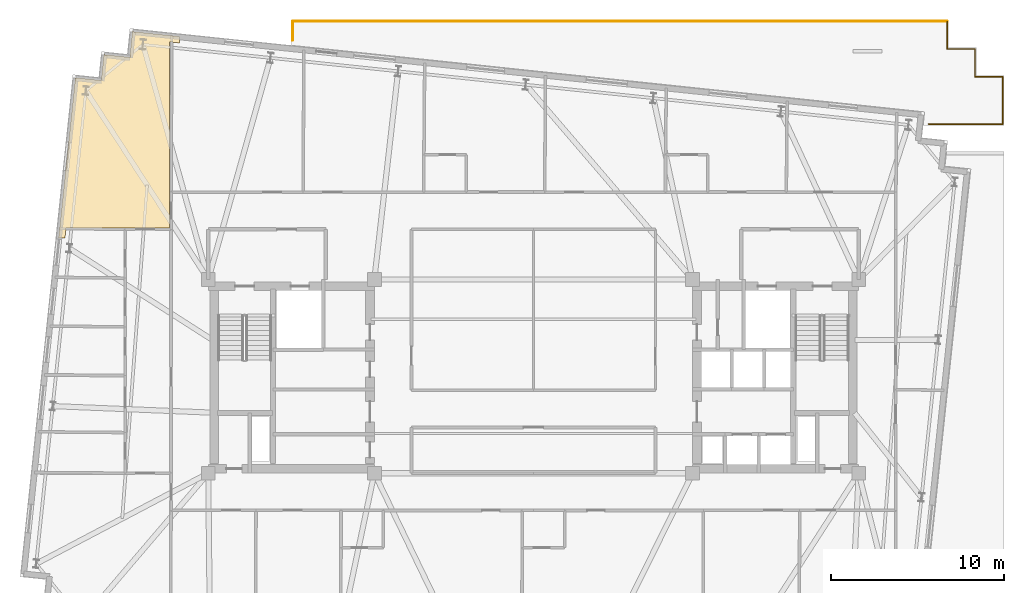
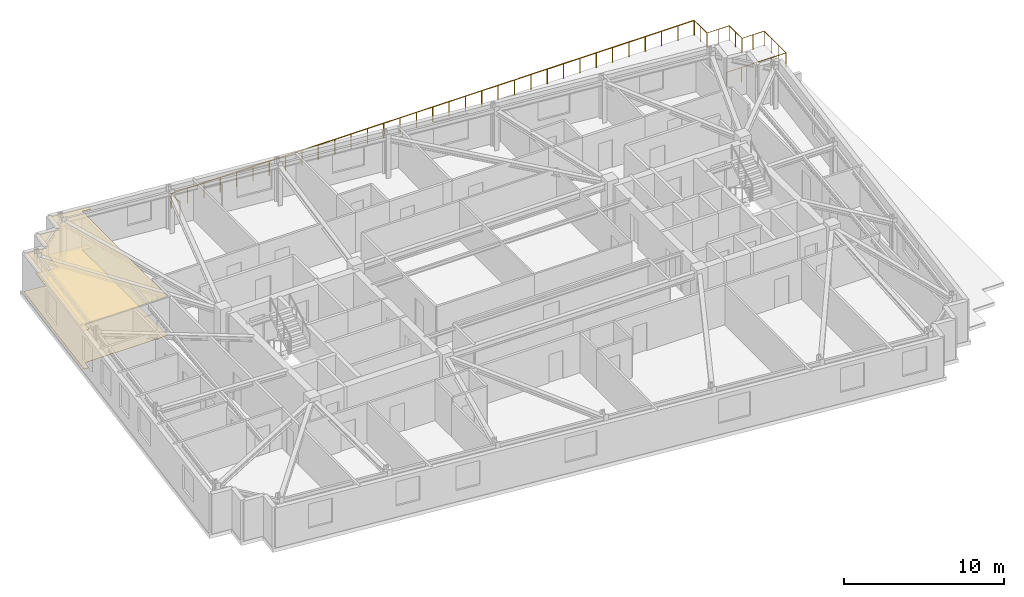
# One storey, part 13 of 13: 2 coverings, 2 railings.
"""IFC4 building model written with IfcOpenShell, lengths in metres."""

from ifc_helpers import new_model, si_unit, direction, frame, origin, origin_2d, place, context, subcontext, project, spatial, polyline, circle, outline, extrude, material, layer, layer_set, type_object, element, save


model = new_model("IFC4")

# Units and contexts
model_context = context("Model", 3, precision=1e-05, world=origin(), true_north=direction((0.0, 1.0)))
body_context = subcontext(model_context, "Body", "Model", "MODEL_VIEW")
ifc_project = project(units=[si_unit("LENGTHUNIT", "METRE"), si_unit("AREAUNIT", "SQUARE_METRE"), si_unit("VOLUMEUNIT", "CUBIC_METRE"), si_unit("PLANEANGLEUNIT", "RADIAN"), si_unit("MASSUNIT", "GRAM", prefix="KILO")], contexts=[model_context])

# Site, building, storey
site_placement = place(None, origin())
site = spatial("IfcSite", under=ifc_project, at=site_placement, CompositionType="ELEMENT")
building_placement = place(site_placement, origin())
building = spatial("IfcBuilding", under=site, at=building_placement, Name="Qobustan Lattice House", CompositionType="ELEMENT")
storey_placement = place(building_placement, frame((0.0, 0.0, 179.64990234375)))
storey = spatial("IfcBuildingStorey", under=building, at=storey_placement, Name="L50", CompositionType="ELEMENT", Elevation=179.64990234375)

# Coverings
ifc_material_1 = material(Name="Perforated gypsum acoustic ceiling", Category="gypsum")
ifc_layer_1 = layer(ifc_material_1, 0.030029296875)
ifc_layer_set_1 = layer_set([ifc_layer_1], Name="Perforated gypsum acoustic ceiling")
covering_type_1 = type_object("IfcCoveringType", Name="COV-ACOUSTIC-CEIL", PredefinedType="CEILING", material=ifc_layer_set_1)
covering_1_placement = place(storey_placement, frame((0.0, 0.0, 2.9501953125)))
element("IfcCovering", 1, at=covering_1_placement, inside=storey, type_object=covering_type_1, Name="L50 Reading study room L50WN acoustic ceiling", PredefinedType="CEILING", context=body_context, shape_type="SweptSolid", body=[
    extrude(outline(polyline([(-26.4794921875, 17.261474609375), (-27.452880859375, 8.0), (-27.0810546875, 8.0), (-27.02001953125, 8.580078125), (-21.030029296875, 8.580078125), (-21.030029296875, 19.3330078125), (-20.449951171875, 19.272216796875), (-20.449951171875, 19.644287109375), (-23.1826171875, 19.931396484375), (-23.339111328125, 18.439697265625), (-24.8310546875, 18.596435546875), (-24.98779296875, 17.1044921875), (-26.4794921875, 17.261474609375)])), origin(), (0.0, 0.0, 1.0), 0.02978515625),
])
ifc_material_2 = material(Name="Honed Absheron stone terrazzo flooring", Category="masonry")
ifc_layer_2 = layer(ifc_material_2, 0.02490234375)
ifc_layer_set_2 = layer_set([ifc_layer_2], Name="Honed Absheron stone terrazzo flooring")
covering_type_2 = type_object("IfcCoveringType", Name="COV-TERRAZZO-FLR", PredefinedType="FLOORING", material=ifc_layer_set_2)
covering_2_placement = place(storey_placement, origin())
element("IfcCovering", 2, at=covering_2_placement, inside=storey, type_object=covering_type_2, Name="L50 Reading study room L50WN stone terrazzo flooring", PredefinedType="FLOORING", context=body_context, shape_type="SweptSolid", body=[
    extrude(outline(polyline([(-26.4794921875, 17.261474609375), (-27.452880859375, 8.0), (-27.0810546875, 8.0), (-27.02001953125, 8.580078125), (-21.030029296875, 8.580078125), (-21.030029296875, 19.3330078125), (-20.449951171875, 19.272216796875), (-20.449951171875, 19.644287109375), (-23.1826171875, 19.931396484375), (-23.339111328125, 18.439697265625), (-24.8310546875, 18.596435546875), (-24.98779296875, 17.1044921875), (-26.4794921875, 17.261474609375)])), origin(), (0.0, 0.0, 1.0), 0.025146484375),
])

# Railings
ifc_material_3 = material(Name="Anodised bronze and laminated glass balustrade", Category="glass")
railing_type = type_object("IfcRailingType", Name="RAL-TERR-1150", PredefinedType="BALUSTRADE", material=ifc_material_3)
railing_1_placement = place(storey_placement, frame((23.919921875, 20.52001953125, 0.0)))
element("IfcRailing", 3, at=railing_1_placement, inside=storey, type_object=railing_type, Name="L50 outdoor terrace balustrade 1", PredefinedType="BALUSTRADE", context=body_context, shape_type="SweptSolid", body=[
    extrude(circle(Radius=0.02392578125, at=origin_2d()), frame((0.0, 0.0, 1.1259765625), z_axis=(0.0, -1.0, 0.0), x_axis=(1.0, 0.0, 0.0)), (0.0, 0.0, 1.0), 1.60009765625),
    extrude(circle(Radius=0.02392578125, at=origin_2d()), frame((0.0, -1.60009765625, 1.1259765625), z_axis=(1.0, 0.0, 0.0), x_axis=(0.0, 1.0, 0.0)), (0.0, 0.0, 1.0), 1.60009765625),
    extrude(circle(Radius=0.02392578125, at=origin_2d()), frame((1.60009765625, -1.60009765625, 1.1259765625), z_axis=(0.0, -1.0, 0.0), x_axis=(1.0, 0.0, 0.0)), (0.0, 0.0, 1.0), 1.599853515625),
    extrude(circle(Radius=0.02392578125, at=origin_2d()), frame((1.60009765625, -3.199951171875, 1.1259765625), z_axis=(1.0, 0.0, 0.0), x_axis=(0.0, 1.0, 0.0)), (0.0, 0.0, 1.0), 1.60009765625),
    extrude(circle(Radius=0.02392578125, at=origin_2d()), frame((3.2001953125, -3.199951171875, 1.1259765625), z_axis=(0.0, -1.0, 0.0), x_axis=(1.0, 0.0, 0.0)), (0.0, 0.0, 1.0), 2.739990234375),
    extrude(circle(Radius=0.02392578125, at=origin_2d()), frame((3.2001953125, -5.93994140625, 1.1259765625), z_axis=(-1.0, 0.0, 0.0), x_axis=(0.0, -1.0, 0.0)), (0.0, 0.0, 1.0), 4.27978515625),
    extrude(circle(Radius=0.02099609375, at=origin_2d()), origin(), (0.0, 0.0, 1.0), 1.101806640625),
    extrude(circle(Radius=0.02099609375, at=origin_2d()), frame((0.0, -0.800048828125, 0.0)), (0.0, 0.0, 1.0), 1.101806640625),
    extrude(circle(Radius=0.02099609375, at=origin_2d()), frame((0.0, -1.60009765625, 0.0)), (0.0, 0.0, 1.0), 1.101806640625),
    extrude(circle(Radius=0.02099609375, at=origin_2d()), frame((0.800048828125, -1.60009765625, 0.0)), (0.0, 0.0, 1.0), 1.101806640625),
    extrude(circle(Radius=0.02099609375, at=origin_2d()), frame((1.60009765625, -1.60009765625, 0.0)), (0.0, 0.0, 1.0), 1.101806640625),
    extrude(circle(Radius=0.02099609375, at=origin_2d()), frame((1.60009765625, -2.39990234375, 0.0)), (0.0, 0.0, 1.0), 1.101806640625),
    extrude(circle(Radius=0.02099609375, at=origin_2d()), frame((1.60009765625, -3.199951171875, 0.0)), (0.0, 0.0, 1.0), 1.101806640625),
    extrude(circle(Radius=0.02099609375, at=origin_2d()), frame((2.400146484375, -3.199951171875, 0.0)), (0.0, 0.0, 1.0), 1.101806640625),
    extrude(circle(Radius=0.02099609375, at=origin_2d()), frame((3.2001953125, -3.199951171875, 0.0)), (0.0, 0.0, 1.0), 1.101806640625),
    extrude(circle(Radius=0.02099609375, at=origin_2d()), frame((3.2001953125, -4.11328125, 0.0)), (0.0, 0.0, 1.0), 1.101806640625),
    extrude(circle(Radius=0.02099609375, at=origin_2d()), frame((3.2001953125, -5.026611328125, 0.0)), (0.0, 0.0, 1.0), 1.101806640625),
    extrude(circle(Radius=0.02099609375, at=origin_2d()), frame((3.2001953125, -5.93994140625, 0.0)), (0.0, 0.0, 1.0), 1.101806640625),
    extrude(circle(Radius=0.02099609375, at=origin_2d()), frame((2.13037109375, -5.93994140625, 0.0)), (0.0, 0.0, 1.0), 1.101806640625),
    extrude(circle(Radius=0.02099609375, at=origin_2d()), frame((1.060302734375, -5.93994140625, 0.0)), (0.0, 0.0, 1.0), 1.101806640625),
    extrude(circle(Radius=0.02099609375, at=origin_2d()), frame((-0.009765625, -5.93994140625, 0.0)), (0.0, 0.0, 1.0), 1.101806640625),
    extrude(circle(Radius=0.02099609375, at=origin_2d()), frame((-1.07958984375, -5.93994140625, 0.0)), (0.0, 0.0, 1.0), 1.101806640625),
])
railing_2_placement = place(storey_placement, frame((-13.919921875, 19.430419921875, 0.0)))
element("IfcRailing", 4, at=railing_2_placement, inside=storey, type_object=railing_type, Name="L50 outdoor terrace balustrade 2", PredefinedType="BALUSTRADE", context=body_context, shape_type="SweptSolid", body=[
    extrude(circle(Radius=0.02392578125, at=origin_2d()), frame((0.0, 0.0, 1.1259765625), z_axis=(0.0, 1.0, 0.0), x_axis=(-1.0, 0.0, 0.0)), (0.0, 0.0, 1.0), 1.089599609375),
    extrude(circle(Radius=0.02392578125, at=origin_2d()), frame((0.0, 1.089599609375, 1.1259765625), z_axis=(1.0, 0.0, 0.0), x_axis=(0.0, 1.0, 0.0)), (0.0, 0.0, 1.0), 37.83984375),
    extrude(circle(Radius=0.02099609375, at=origin_2d()), origin(), (0.0, 0.0, 1.0), 1.101806640625),
    extrude(circle(Radius=0.02099609375, at=origin_2d()), frame((0.0, 1.089599609375, 0.0)), (0.0, 0.0, 1.0), 1.101806640625),
    extrude(circle(Radius=0.02099609375, at=origin_2d()), frame((1.1826171875, 1.089599609375, 0.0)), (0.0, 0.0, 1.0), 1.101806640625),
    extrude(circle(Radius=0.02099609375, at=origin_2d()), frame((2.364990234375, 1.089599609375, 0.0)), (0.0, 0.0, 1.0), 1.101806640625),
    extrude(circle(Radius=0.02099609375, at=origin_2d()), frame((3.54736328125, 1.089599609375, 0.0)), (0.0, 0.0, 1.0), 1.101806640625),
    extrude(circle(Radius=0.02099609375, at=origin_2d()), frame((4.72998046875, 1.089599609375, 0.0)), (0.0, 0.0, 1.0), 1.101806640625),
    extrude(circle(Radius=0.02099609375, at=origin_2d()), frame((5.91259765625, 1.089599609375, 0.0)), (0.0, 0.0, 1.0), 1.101806640625),
    extrude(circle(Radius=0.02099609375, at=origin_2d()), frame((7.094970703125, 1.089599609375, 0.0)), (0.0, 0.0, 1.0), 1.101806640625),
    extrude(circle(Radius=0.02099609375, at=origin_2d()), frame((8.27734375, 1.089599609375, 0.0)), (0.0, 0.0, 1.0), 1.101806640625),
    extrude(circle(Radius=0.02099609375, at=origin_2d()), frame((9.4599609375, 1.089599609375, 0.0)), (0.0, 0.0, 1.0), 1.101806640625),
    extrude(circle(Radius=0.02099609375, at=origin_2d()), frame((10.642578125, 1.089599609375, 0.0)), (0.0, 0.0, 1.0), 1.101806640625),
    extrude(circle(Radius=0.02099609375, at=origin_2d()), frame((11.824951171875, 1.089599609375, 0.0)), (0.0, 0.0, 1.0), 1.101806640625),
    extrude(circle(Radius=0.02099609375, at=origin_2d()), frame((13.00732421875, 1.089599609375, 0.0)), (0.0, 0.0, 1.0), 1.101806640625),
    extrude(circle(Radius=0.02099609375, at=origin_2d()), frame((14.18994140625, 1.089599609375, 0.0)), (0.0, 0.0, 1.0), 1.101806640625),
    extrude(circle(Radius=0.02099609375, at=origin_2d()), frame((15.37255859375, 1.089599609375, 0.0)), (0.0, 0.0, 1.0), 1.101806640625),
    extrude(circle(Radius=0.02099609375, at=origin_2d()), frame((16.554931640625, 1.089599609375, 0.0)), (0.0, 0.0, 1.0), 1.101806640625),
    extrude(circle(Radius=0.02099609375, at=origin_2d()), frame((17.7373046875, 1.089599609375, 0.0)), (0.0, 0.0, 1.0), 1.101806640625),
    extrude(circle(Radius=0.02099609375, at=origin_2d()), frame((18.919921875, 1.089599609375, 0.0)), (0.0, 0.0, 1.0), 1.101806640625),
    extrude(circle(Radius=0.02099609375, at=origin_2d()), frame((20.1025390625, 1.089599609375, 0.0)), (0.0, 0.0, 1.0), 1.101806640625),
    extrude(circle(Radius=0.02099609375, at=origin_2d()), frame((21.284912109375, 1.089599609375, 0.0)), (0.0, 0.0, 1.0), 1.101806640625),
    extrude(circle(Radius=0.02099609375, at=origin_2d()), frame((22.46728515625, 1.089599609375, 0.0)), (0.0, 0.0, 1.0), 1.101806640625),
    extrude(circle(Radius=0.02099609375, at=origin_2d()), frame((23.64990234375, 1.089599609375, 0.0)), (0.0, 0.0, 1.0), 1.101806640625),
    extrude(circle(Radius=0.02099609375, at=origin_2d()), frame((24.83251953125, 1.089599609375, 0.0)), (0.0, 0.0, 1.0), 1.101806640625),
    extrude(circle(Radius=0.02099609375, at=origin_2d()), frame((26.014892578125, 1.089599609375, 0.0)), (0.0, 0.0, 1.0), 1.101806640625),
    extrude(circle(Radius=0.02099609375, at=origin_2d()), frame((27.197265625, 1.089599609375, 0.0)), (0.0, 0.0, 1.0), 1.101806640625),
    extrude(circle(Radius=0.02099609375, at=origin_2d()), frame((28.3798828125, 1.089599609375, 0.0)), (0.0, 0.0, 1.0), 1.101806640625),
    extrude(circle(Radius=0.02099609375, at=origin_2d()), frame((29.5625, 1.089599609375, 0.0)), (0.0, 0.0, 1.0), 1.101806640625),
    extrude(circle(Radius=0.02099609375, at=origin_2d()), frame((30.744873046875, 1.089599609375, 0.0)), (0.0, 0.0, 1.0), 1.101806640625),
    extrude(circle(Radius=0.02099609375, at=origin_2d()), frame((31.92724609375, 1.089599609375, 0.0)), (0.0, 0.0, 1.0), 1.101806640625),
    extrude(circle(Radius=0.02099609375, at=origin_2d()), frame((33.10986328125, 1.089599609375, 0.0)), (0.0, 0.0, 1.0), 1.101806640625),
    extrude(circle(Radius=0.02099609375, at=origin_2d()), frame((34.29248046875, 1.089599609375, 0.0)), (0.0, 0.0, 1.0), 1.101806640625),
    extrude(circle(Radius=0.02099609375, at=origin_2d()), frame((35.474853515625, 1.089599609375, 0.0)), (0.0, 0.0, 1.0), 1.101806640625),
    extrude(circle(Radius=0.02099609375, at=origin_2d()), frame((36.6572265625, 1.089599609375, 0.0)), (0.0, 0.0, 1.0), 1.101806640625),
    extrude(circle(Radius=0.02099609375, at=origin_2d()), frame((37.83984375, 1.089599609375, 0.0)), (0.0, 0.0, 1.0), 1.101806640625),
])

save(model, "model.ifc")
